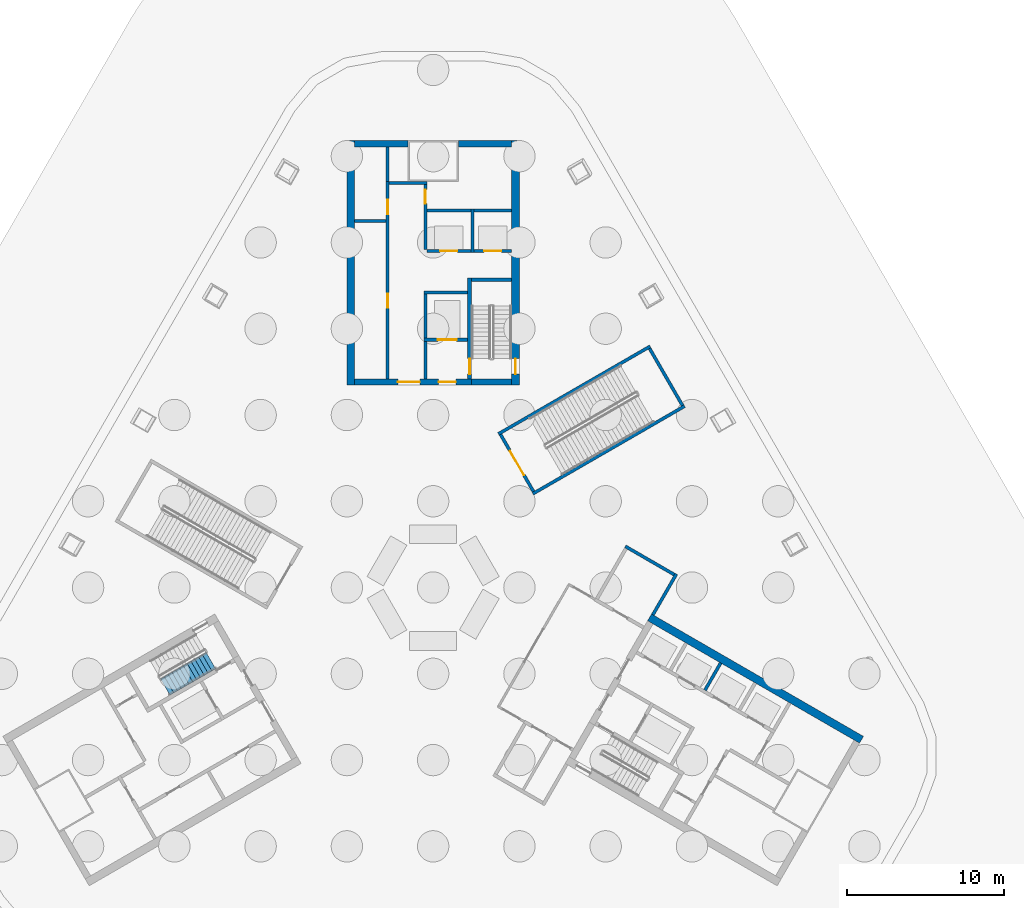
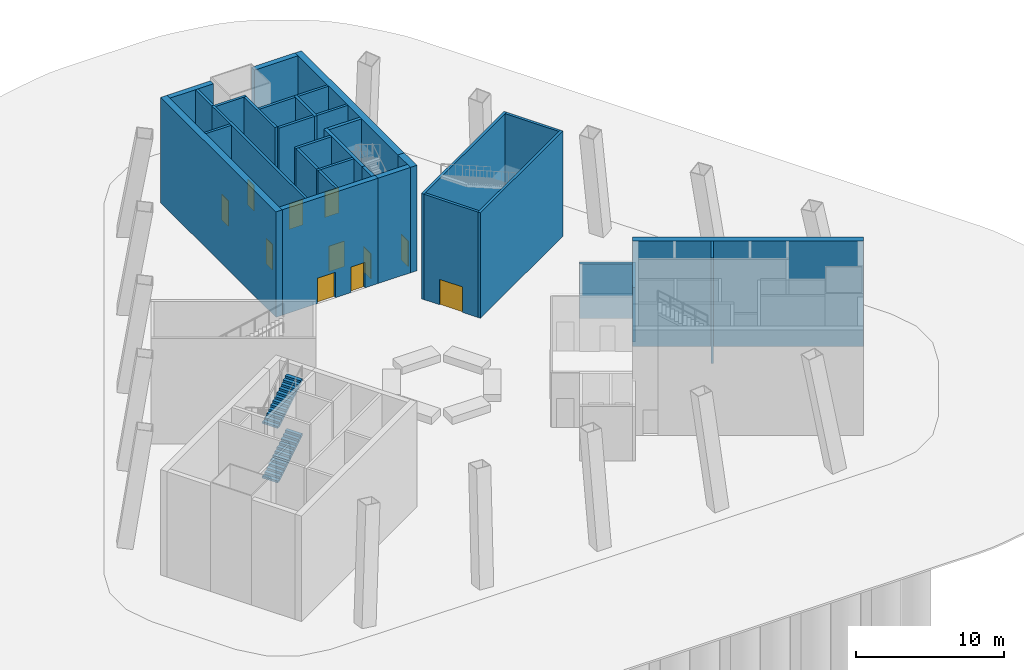
# One storey, part 5 of 10: 32 walls, 11 doors, 2 stair flights, 11 openings, 1 element without a shape of its own.
"""IFC4 building model written with IfcOpenShell, lengths in metres."""

import ifcopenshell
import ifcopenshell.guid

model = None  # the IFC model being written
_history = None  # IfcOwnerHistory: only IFC2X3 demands one
_inside = {}  # id of a spatial element -> (the spatial element, [elements in it])
_under = {}  # id of a project, library or spatial element -> (it, [spatial elements below it])
_declared = {}  # id of a project -> (the project, [libraries it declares])
_typed = {}  # id of a type object -> (the type object, [elements of that type])
_made_of = {}  # id of a material, layer set ... -> (it, [elements and type objects made of it])


def new_model(schema):
    """Start an empty IFC model of exactly this schema.

    Asked for "IFC4X3", IfcOpenShell would pick the latest addendum, in which some entities
    have other attributes; the version numbers below select the first issue.
    IFC2X3 requires an IfcOwnerHistory on every rooted entity: one is made here for all.
    """
    global model, _history
    if schema == "IFC4X3":
        model = ifcopenshell.file(schema_version=(4, 3, 0, 0))
    else:
        model = ifcopenshell.file(schema=schema)
    _inside.clear()
    _under.clear()
    _declared.clear()
    _typed.clear()
    _made_of.clear()
    _history = None
    if model.schema == "IFC2X3":
        org = make("IfcOrganization", Name="unknown")
        user = make(
            "IfcPersonAndOrganization",
            ThePerson=make("IfcPerson", FamilyName="unknown"),
            TheOrganization=org,
        )
        app = make(
            "IfcApplication",
            ApplicationDeveloper=org,
            Version="unknown",
            ApplicationFullName="unknown",
            ApplicationIdentifier="unknown",
        )
        _history = make(
            "IfcOwnerHistory",
            OwningUser=user,
            OwningApplication=app,
            ChangeAction="ADDED",
            CreationDate=0,
        )
    return model


def make(cls, **values):
    """One entity of the class cls with the attributes given. An attribute that is None is left unset."""
    return model.create_entity(
        cls, **{name: value for name, value in values.items() if value is not None}
    )


def rooted(cls, **values):
    """An entity with a GlobalId (a new one), such as an element, a storey or a relation."""
    return make(cls, GlobalId=ifcopenshell.guid.new(), OwnerHistory=_history, **values)


def si_unit(unit_type, name, prefix=None):
    """IfcSIUnit, for example si_unit("LENGTHUNIT", "METRE", prefix="MILLI")."""
    return make("IfcSIUnit", UnitType=unit_type, Prefix=prefix, Name=name)


def assignment(units):
    """IfcUnitAssignment: the units of a project."""
    return None if units is None else make("IfcUnitAssignment", Units=units)


def point(xyz):
    """IfcCartesianPoint."""
    return None if xyz is None else make("IfcCartesianPoint", Coordinates=xyz)


def direction(xyz):
    """IfcDirection."""
    return None if xyz is None else make("IfcDirection", DirectionRatios=xyz)


def frame(location, z_axis=None, x_axis=None):
    """IfcAxis2Placement3D, a coordinate frame: its origin and axes. An axis left out is left unset."""
    return make(
        "IfcAxis2Placement3D",
        Location=point(location),
        Axis=direction(z_axis),
        RefDirection=direction(x_axis),
    )


def frame_2d(location, x_axis=None):
    """IfcAxis2Placement2D, a coordinate frame in the plane: its origin and x axis."""
    return make(
        "IfcAxis2Placement2D", Location=point(location), RefDirection=direction(x_axis)
    )


def origin():
    """The frame at (0, 0, 0) with its axes left unset."""
    return frame((0.0, 0.0, 0.0))


def place(relative_to, where):
    """IfcLocalPlacement: puts the frame where relative to a parent placement (None: the world)."""
    return make(
        "IfcLocalPlacement", PlacementRelTo=relative_to, RelativePlacement=where
    )


def context(
    kind, dimensions, precision=None, world=None, true_north=None, identifier=None
):
    """IfcGeometricRepresentationContext, for example the 3D "Model" context."""
    return make(
        "IfcGeometricRepresentationContext",
        ContextIdentifier=identifier,
        ContextType=kind,
        CoordinateSpaceDimension=dimensions,
        Precision=precision,
        WorldCoordinateSystem=world,
        TrueNorth=true_north,
    )


def subcontext(parent, identifier, kind, view, scale=None):
    """IfcGeometricRepresentationSubContext, for example "Body" below "Model"."""
    return make(
        "IfcGeometricRepresentationSubContext",
        ContextIdentifier=identifier,
        ContextType=kind,
        ParentContext=parent,
        TargetScale=scale,
        TargetView=view,
    )


def project(units=None, contexts=None):
    """IfcProject with its units and contexts."""
    return rooted(
        "IfcProject",
        Name="project",
        RepresentationContexts=contexts,
        UnitsInContext=assignment(units),
    )


def spatial(cls, under=None, at=None, **own):
    """A site, building, storey or space (cls), placed at a placement, below another one or the project."""
    s = rooted(cls, ObjectPlacement=at, **own)
    if under is not None:
        _under.setdefault(under.id(), (under, []))[1].append(s)
    return s


def polyline(points):
    """IfcPolyline through the points."""
    return make("IfcPolyline", Points=[point(p) for p in points])


def profile(cls, at=None, kind="AREA", **sizes):
    """A parametric profile (cls). Its sizes go by their IFC names, for example OverallWidth=200.0."""
    return make(cls, ProfileType=kind, Position=at, **sizes)


def rectangle(**sizes):
    """IfcRectangleProfileDef."""
    return profile("IfcRectangleProfileDef", **sizes)


def outline(outer, holes=None, kind="AREA"):
    """IfcArbitraryClosedProfileDef: a profile drawn as a closed curve; with holes, ...WithVoids."""
    if holes is None:
        return make("IfcArbitraryClosedProfileDef", ProfileType=kind, OuterCurve=outer)
    return make(
        "IfcArbitraryProfileDefWithVoids",
        ProfileType=kind,
        OuterCurve=outer,
        InnerCurves=holes,
    )


def extrude(swept, where, along, depth):
    """IfcExtrudedAreaSolid: the profile swept, set in the frame where, extruded along a direction by depth."""
    return make(
        "IfcExtrudedAreaSolid",
        SweptArea=swept,
        Position=where,
        ExtrudedDirection=direction(along),
        Depth=depth,
    )


def shape(context_of_items, identifier, shape_type, items):
    """IfcShapeRepresentation: the items that make up one representation, for example the "Body"."""
    return make(
        "IfcShapeRepresentation",
        ContextOfItems=context_of_items,
        RepresentationIdentifier=identifier,
        RepresentationType=shape_type,
        Items=items,
    )


def material(Name=None, Category=None):
    """IfcMaterial."""
    return make("IfcMaterial", Name=Name, Category=Category)


def layer(
    of_material, thickness, ventilated=None, Name=None, Category=None, Priority=None
):
    """IfcMaterialLayer: one layer of a wall or slab, of a material (None: an air gap)."""
    return make(
        "IfcMaterialLayer",
        Material=of_material,
        LayerThickness=thickness,
        IsVentilated=ventilated,
        Name=Name,
        Category=Category,
        Priority=Priority,
    )


def layer_set(layers, Name=None):
    """IfcMaterialLayerSet."""
    return make("IfcMaterialLayerSet", MaterialLayers=layers, LayerSetName=Name)


def made_of(thing, what):
    """Note that an element or type object is made of a material, layer set ...; save() writes the relation."""
    if what is not None:
        _made_of.setdefault(what.id(), (what, []))[1].append(thing)
    return thing


def type_object(cls, material=None, **own):
    """A type object (cls), such as IfcWallType, which elements share."""
    return made_of(rooted(cls, **own), material)


def element(
    cls,
    number,
    at=None,
    inside=None,
    cuts=None,
    type_object=None,
    material=None,
    context=None,
    identifier="Body",
    shape_type=None,
    held_by="IfcProductDefinitionShape",
    body=None,
    shapes=None,
    **own,
):
    """One element of the class cls, such as IfcWall. Its Tag is "e" and its number.

    at: its placement. inside: the storey or other place that contains it. cuts: it is an
    opening in that element (IfcRelVoidsElement). A single representation is given by context,
    identifier, shape_type and body (its items); several are given by shapes. held_by: the class
    of the entity that holds the representations. save() writes the other relations.
    """
    e = rooted(cls, Tag="e%d" % number, ObjectPlacement=at, **own)
    if body is not None:
        shapes = [shape(context, identifier, shape_type, body)]
    if shapes is not None:
        e.Representation = make(held_by, Representations=shapes)
    if inside is not None:
        _inside.setdefault(inside.id(), (inside, []))[1].append(e)
    if cuts is not None:
        rooted(
            "IfcRelVoidsElement", RelatingBuildingElement=cuts, RelatedOpeningElement=e
        )
    if type_object is not None:
        _typed.setdefault(type_object.id(), (type_object, []))[1].append(e)
    return made_of(e, material)


def fill(opening, filler):
    """IfcRelFillsElement: the door or window that sits in an opening."""
    return rooted(
        "IfcRelFillsElement",
        RelatingOpeningElement=opening,
        RelatedBuildingElement=filler,
    )


def aggregate(whole, parts):
    """IfcRelAggregates: a whole, such as a stair, and the parts it consists of."""
    return rooted("IfcRelAggregates", RelatingObject=whole, RelatedObjects=parts)


def save(model, path):
    """Write the relations noted so far, then the file.

    IfcRelAggregates (storeys below a building ...), IfcRelContainedInSpatialStructure (elements
    in a storey), IfcRelDefinesByType, IfcRelAssociatesMaterial and IfcRelDeclares: one each for
    every whole, place, type object, material and project.
    """
    for whole, parts in _under.values():
        aggregate(whole, parts)
    for where, things in _inside.values():
        rooted(
            "IfcRelContainedInSpatialStructure",
            RelatedElements=things,
            RelatingStructure=where,
        )
    for kind, things in _typed.values():
        rooted("IfcRelDefinesByType", RelatedObjects=things, RelatingType=kind)
    for what, things in _made_of.values():
        rooted("IfcRelAssociatesMaterial", RelatedObjects=things, RelatingMaterial=what)
    for by, libraries in _declared.values():
        rooted("IfcRelDeclares", RelatingContext=by, RelatedDefinitions=libraries)
    model.write(path)


model = new_model("IFC4")

# Units and contexts
model_context = context("Model", 3, precision=1e-05, world=origin(), true_north=direction((0.0, 1.0)))
body_context = subcontext(model_context, "Body", "Model", "MODEL_VIEW")
ifc_project = project(units=[si_unit("LENGTHUNIT", "METRE"), si_unit("AREAUNIT", "SQUARE_METRE"), si_unit("VOLUMEUNIT", "CUBIC_METRE"), si_unit("PLANEANGLEUNIT", "RADIAN"), si_unit("MASSUNIT", "GRAM", prefix="KILO")], contexts=[model_context])

# Site, building, storey
site_placement = place(None, origin())
site = spatial("IfcSite", under=ifc_project, at=site_placement, CompositionType="ELEMENT")
building_placement = place(site_placement, origin())
building = spatial("IfcBuilding", under=site, at=building_placement, Name="Apuvela Tower Hotel", CompositionType="ELEMENT")
storey_placement = place(building_placement, origin())
storey = spatial("IfcBuildingStorey", under=building, at=storey_placement, Name="L00", CompositionType="ELEMENT", Elevation=0.0)

# Walls
ifc_material_1 = material(Name="Concrete C50/60", Category="concrete")
ifc_layer_1 = layer(ifc_material_1, 0.39990234375)
ifc_layer_set_1 = layer_set([ifc_layer_1], Name="COR-WALL-CORE-400")
wall_type_1 = type_object("IfcWallType", Name="COR-WALL-CORE-400", PredefinedType="SHEAR", material=ifc_layer_set_1)
for number, where, z_axis, x_axis, name in (
    (1, (-1.60009765625, 28.300048828125, 0.0), (0.0, 0.0, 1.0), (-1.0, 0.0, 0.0), "Core wall N"),
    (2, (5.0, 28.300048828125, 0.0), (0.0, 0.0, 1.0), (-1.0, 0.0, 0.0), "Core wall N"),
):
    element("IfcWall", number, at=place(storey_placement, frame(where, z_axis=z_axis, x_axis=x_axis)), inside=storey, type_object=wall_type_1, Name=name, PredefinedType="SHEAR", context=body_context, shape_type="SweptSolid", body=[
        extrude(rectangle(XDim=3.39990234375, YDim=0.39990234375, at=frame_2d((1.699951171875, 0.0))), origin(), (0.0, 0.0, 1.0), 8.699951171875),
    ])
wall_1_placement = place(storey_placement, frame((5.0, 13.10009765625, 0.0), z_axis=(0.0, 0.0, 1.0), x_axis=(-1.0, 0.0, 0.0)))
element("IfcWall", 3, at=wall_1_placement, inside=storey, type_object=wall_type_1, Name="Core wall N", PredefinedType="SHEAR", context=body_context, shape_type="SweptSolid", body=[
    extrude(rectangle(XDim=2.550048828125, YDim=0.39990234375, at=frame_2d((1.27490234375, 0.0))), origin(), (0.0, 0.0, 1.0), 8.699951171875),
])

# Wall, openings, doors
wall_2_placement = place(storey_placement, frame((2.449951171875, 13.10009765625, 0.0), z_axis=(0.0, 0.0, 1.0), x_axis=(-1.0, 0.0, 0.0)))
wall_2 = element("IfcWall", 4, at=wall_2_placement, inside=storey, type_object=wall_type_1, Name="Core wall N", PredefinedType="SHEAR", context=body_context, shape_type="SweptSolid", body=[
    extrude(rectangle(XDim=7.449951171875, YDim=0.39990234375, at=frame_2d((3.72509765625, 0.0))), origin(), (0.0, 0.0, 1.0), 8.699951171875),
])
opening_1_placement = place(wall_2_placement, frame((1.0, 0.0, 0.0)))
opening_1 = element("IfcOpeningElement", 5, at=opening_1_placement, cuts=wall_2, Name="Opening N-FD", PredefinedType="OPENING", context=body_context, shape_type="SweptSolid", body=[
    extrude(rectangle(XDim=1.10009765625, YDim=2.10009765625, at=frame_2d((0.550048828125, 1.050048828125))), frame((0.0, 0.2099609375, 0.0), z_axis=(0.0, -1.0, 0.0), x_axis=(1.0, 0.0, 0.0)), (0.0, 0.0, 1.0), 0.419921875),
])
opening_2_placement = place(wall_2_placement, frame((3.300048828125, 0.0, 0.0)))
opening_2 = element("IfcOpeningElement", 6, at=opening_2_placement, cuts=wall_2, Name="Opening N-GD", PredefinedType="OPENING", context=body_context, shape_type="SweptSolid", body=[
    extrude(rectangle(XDim=1.39990234375, YDim=2.10009765625, at=frame_2d((0.699951171875, 1.050048828125))), frame((0.0, 0.2099609375, 0.0), z_axis=(0.0, -1.0, 0.0), x_axis=(1.0, 0.0, 0.0)), (0.0, 0.0, 1.0), 0.419921875),
])
ifc_material_2 = material(Name="Steel fire door, powder coated", Category="steel")
door_type_1 = type_object("IfcDoorType", Name="COR-FD-1100", OperationType="NOTDEFINED", PredefinedType="DOOR", material=ifc_material_2)
door_1_placement = place(opening_1_placement, origin())
door_1 = element("IfcDoor", 7, at=door_1_placement, inside=storey, type_object=door_type_1, Name="Firefighting lobby door N-FD", OperationType="SINGLE_SWING_RIGHT", OverallHeight=2.10009765625, OverallWidth=1.10009765625, PredefinedType="DOOR", context=body_context, shape_type="SweptSolid", body=[
    extrude(rectangle(XDim=1.10009765625, YDim=2.10009765625, at=frame_2d((0.550048828125, 1.050048828125))), frame((0.0, 0.02490234375, 0.0), z_axis=(0.0, -1.0, 0.0), x_axis=(1.0, 0.0, 0.0)), (0.0, 0.0, 1.0), 0.050048828125),
])
fill(opening_1, door_1)
ifc_material_3 = material(Name="Glazed steel fire door", Category="steel")
door_type_2 = type_object("IfcDoorType", Name="COR-GD-1400", OperationType="DOUBLE_DOOR_SINGLE_SWING", PredefinedType="DOOR", material=ifc_material_3)
door_2_placement = place(opening_2_placement, origin())
door_2 = element("IfcDoor", 8, at=door_2_placement, inside=storey, type_object=door_type_2, Name="Lift lobby door N-GD", OperationType="DOUBLE_DOOR_SINGLE_SWING", OverallHeight=2.10009765625, OverallWidth=1.39990234375, PredefinedType="DOOR", context=body_context, shape_type="SweptSolid", body=[
    extrude(rectangle(XDim=1.39990234375, YDim=2.10009765625, at=frame_2d((0.699951171875, 1.050048828125))), frame((0.0, 0.02490234375, 0.0), z_axis=(0.0, -1.0, 0.0), x_axis=(1.0, 0.0, 0.0)), (0.0, 0.0, 1.0), 0.050048828125),
])
fill(opening_2, door_2)

# Wall
ifc_layer_2 = layer(ifc_material_1, 0.5)
ifc_layer_set_2 = layer_set([ifc_layer_2], Name="COR-WALL-CORE-500")
wall_type_2 = type_object("IfcWallType", Name="COR-WALL-CORE-500", PredefinedType="SHEAR", material=ifc_layer_set_2)
wall_3_placement = place(storey_placement, frame((-5.25, 12.89990234375, 0.0), z_axis=(0.0, 0.0, 1.0), x_axis=(0.0, 1.0, 0.0)))
element("IfcWall", 9, at=wall_3_placement, inside=storey, type_object=wall_type_2, Name="Core wall N", PredefinedType="SHEAR", context=body_context, shape_type="SweptSolid", body=[
    extrude(rectangle(XDim=15.60009765625, YDim=0.5, at=frame_2d((7.800048828125, 0.0))), origin(), (0.0, 0.0, 1.0), 8.699951171875),
])

# Wall, opening, door
wall_4_placement = place(storey_placement, frame((5.25, 12.89990234375, 0.0), z_axis=(0.0, 0.0, 1.0), x_axis=(0.0, 1.0, 0.0)))
wall_4 = element("IfcWall", 10, at=wall_4_placement, inside=storey, type_object=wall_type_2, Name="Core wall N", PredefinedType="SHEAR", context=body_context, shape_type="SweptSolid", body=[
    extrude(rectangle(XDim=1.7060546875, YDim=0.5, at=frame_2d((0.85302734375, 0.0))), origin(), (0.0, 0.0, 1.0), 8.699951171875),
])
opening_3_placement = place(wall_4_placement, frame((0.699951171875, 0.0, 0.0)))
opening_3 = element("IfcOpeningElement", 11, at=opening_3_placement, cuts=wall_4, Name="Opening N-XD", PredefinedType="OPENING", context=body_context, shape_type="SweptSolid", body=[
    extrude(rectangle(XDim=1.0, YDim=2.10009765625, at=frame_2d((0.5, 1.050048828125))), frame((0.0, 0.260009765625, 0.0), z_axis=(0.0, -1.0, 0.0), x_axis=(1.0, 0.0, 0.0)), (0.0, 0.0, 1.0), 0.52001953125),
])
door_type_3 = type_object("IfcDoorType", Name="COR-XD-1000", OperationType="NOTDEFINED", PredefinedType="DOOR", material=ifc_material_2)
door_3_placement = place(opening_3_placement, frame((1.0, 0.0, 0.0), z_axis=(0.0, 0.0, 1.0), x_axis=(-1.0, 0.0, 0.0)))
door_3 = element("IfcDoor", 12, at=door_3_placement, inside=storey, type_object=door_type_3, Name="Stair exit door N-XD", OperationType="SINGLE_SWING_RIGHT", OverallHeight=2.10009765625, OverallWidth=1.0, PredefinedType="DOOR", context=body_context, shape_type="SweptSolid", body=[
    extrude(rectangle(XDim=1.0, YDim=2.10009765625, at=frame_2d((0.5, 1.050048828125))), frame((0.0, 0.02490234375, 0.0), z_axis=(0.0, -1.0, 0.0), x_axis=(1.0, 0.0, 0.0)), (0.0, 0.0, 1.0), 0.050048828125),
])
fill(opening_3, door_3)

# Walls
wall_5_placement = place(storey_placement, frame((5.25, 14.60595703125, 0.0), z_axis=(0.0, 0.0, 1.0), x_axis=(0.0, 1.0, 0.0)))
element("IfcWall", 13, at=wall_5_placement, inside=storey, type_object=wall_type_2, Name="Core wall N", PredefinedType="SHEAR", context=body_context, shape_type="SweptSolid", body=[
    extrude(rectangle(XDim=13.89404296875, YDim=0.5, at=frame_2d((6.947021484375, 0.0))), origin(), (0.0, 0.0, 1.0), 8.699951171875),
])
wall_6_placement = place(storey_placement, frame((13.796630859375, -1.9033203125, 0.0), z_axis=(0.0, 0.0, 1.0), x_axis=(0.866024264262, -0.500001973705, 0.0)))
element("IfcWall", 14, at=wall_6_placement, inside=storey, type_object=wall_type_2, Name="Core wall SE", PredefinedType="SHEAR", context=body_context, shape_type="SweptSolid", body=[
    extrude(rectangle(XDim=15.60009765625, YDim=0.5, at=frame_2d((7.800048828125, 0.0))), origin(), (0.0, 0.0, 1.0), 8.699951171875),
])

# Wall, opening, door
ifc_material_4 = material(Name="Blockwork 200 mm plastered", Category="masonry")
ifc_layer_3 = layer(ifc_material_4, 0.199951171875)
ifc_layer_set_3 = layer_set([ifc_layer_3], Name="COR-WALL-PART-200")
wall_type_3 = type_object("IfcWallType", Name="COR-WALL-PART-200", PredefinedType="PARTITIONING", material=ifc_layer_set_3)
wall_7_placement = place(storey_placement, frame((5.0, 21.449951171875, 0.0), z_axis=(0.0, 0.0, 1.0), x_axis=(-1.0, 0.0, 0.0)))
wall_7 = element("IfcWall", 15, at=wall_7_placement, inside=storey, type_object=wall_type_3, Name="Partition N", PredefinedType="PARTITIONING", context=body_context, shape_type="SweptSolid", body=[
    extrude(rectangle(XDim=2.39990234375, YDim=0.199951171875, at=frame_2d((1.199951171875, 0.0))), origin(), (0.0, 0.0, 1.0), 8.699951171875),
])
opening_4_placement = place(wall_7_placement, frame((0.64990234375, 0.0, 0.0)))
opening_4 = element("IfcOpeningElement", 16, at=opening_4_placement, cuts=wall_7, Name="Opening N-LD-SH1", PredefinedType="OPENING", context=body_context, shape_type="SweptSolid", body=[
    extrude(rectangle(XDim=1.10009765625, YDim=2.10009765625, at=frame_2d((0.550048828125, 1.050048828125))), frame((0.0, 0.10986328125, 0.0), z_axis=(0.0, -1.0, 0.0), x_axis=(1.0, 0.0, 0.0)), (0.0, 0.0, 1.0), 0.219970703125),
])
ifc_material_5 = material(Name="Stainless steel lift landing door", Category="steel")
door_type_4 = type_object("IfcDoorType", Name="COR-LD-1100", OperationType="DOUBLE_DOOR_SLIDING", PredefinedType="DOOR", material=ifc_material_5)
door_4_placement = place(opening_4_placement, origin())
door_4 = element("IfcDoor", 17, at=door_4_placement, inside=storey, type_object=door_type_4, Name="Lift landing door N-LD-SH1", OperationType="DOUBLE_DOOR_SLIDING", OverallHeight=2.10009765625, OverallWidth=1.10009765625, PredefinedType="DOOR", context=body_context, shape_type="SweptSolid", body=[
    extrude(rectangle(XDim=1.10009765625, YDim=2.10009765625, at=frame_2d((0.550048828125, 1.050048828125))), frame((0.0, 0.02490234375, 0.0), z_axis=(0.0, -1.0, 0.0), x_axis=(1.0, 0.0, 0.0)), (0.0, 0.0, 1.0), 0.050048828125),
])
fill(opening_4, door_4)

wall_8_placement = place(storey_placement, frame((2.39990234375, 21.449951171875, 0.0), z_axis=(0.0, 0.0, 1.0), x_axis=(-1.0, 0.0, 0.0)))
wall_8 = element("IfcWall", 18, at=wall_8_placement, inside=storey, type_object=wall_type_3, Name="Partition N", PredefinedType="PARTITIONING", context=body_context, shape_type="SweptSolid", body=[
    extrude(rectangle(XDim=2.7998046875, YDim=0.199951171875, at=frame_2d((1.39990234375, 0.0))), origin(), (0.0, 0.0, 1.0), 8.699951171875),
])
opening_5_placement = place(wall_8_placement, frame((0.85009765625, 0.0, 0.0)))
opening_5 = element("IfcOpeningElement", 19, at=opening_5_placement, cuts=wall_8, Name="Opening N-LD-SH2", PredefinedType="OPENING", context=body_context, shape_type="SweptSolid", body=[
    extrude(rectangle(XDim=1.10009765625, YDim=2.10009765625, at=frame_2d((0.550048828125, 1.050048828125))), frame((0.0, 0.10986328125, 0.0), z_axis=(0.0, -1.0, 0.0), x_axis=(1.0, 0.0, 0.0)), (0.0, 0.0, 1.0), 0.219970703125),
])
door_5_placement = place(opening_5_placement, origin())
door_5 = element("IfcDoor", 20, at=door_5_placement, inside=storey, type_object=door_type_4, Name="Lift landing door N-LD-SH2", OperationType="DOUBLE_DOOR_SLIDING", OverallHeight=2.10009765625, OverallWidth=1.10009765625, PredefinedType="DOOR", context=body_context, shape_type="SweptSolid", body=[
    extrude(rectangle(XDim=1.10009765625, YDim=2.10009765625, at=frame_2d((0.550048828125, 1.050048828125))), frame((0.0, 0.02490234375, 0.0), z_axis=(0.0, -1.0, 0.0), x_axis=(1.0, 0.0, 0.0)), (0.0, 0.0, 1.0), 0.050048828125),
])
fill(opening_5, door_5)

# Wall
ifc_layer_4 = layer(ifc_material_1, 0.199951171875)
ifc_layer_set_4 = layer_set([ifc_layer_4], Name="COR-WALL-SHAFT-200")
wall_type_4 = type_object("IfcWallType", Name="COR-WALL-SHAFT-200", PredefinedType="SHEAR", material=ifc_layer_set_4)
wall_9_placement = place(storey_placement, frame((2.199951171875, 18.800048828125, 0.0), z_axis=(0.0, 0.0, 1.0), x_axis=(-1.0, 0.0, 0.0)))
element("IfcWall", 21, at=wall_9_placement, inside=storey, type_object=wall_type_4, Name="Shaft wall N", PredefinedType="SHEAR", context=body_context, shape_type="SweptSolid", body=[
    extrude(rectangle(XDim=2.800048828125, YDim=0.199951171875, at=frame_2d((1.39990234375, 0.0))), origin(), (0.0, 0.0, 1.0), 8.699951171875),
])

# Wall, opening, door
wall_10_placement = place(storey_placement, frame((2.199951171875, 15.800048828125, 0.0), z_axis=(0.0, 0.0, 1.0), x_axis=(-1.0, 0.0, 0.0)))
wall_10 = element("IfcWall", 22, at=wall_10_placement, inside=storey, type_object=wall_type_4, Name="Shaft wall N", PredefinedType="SHEAR", context=body_context, shape_type="SweptSolid", body=[
    extrude(rectangle(XDim=2.800048828125, YDim=0.199951171875, at=frame_2d((1.39990234375, 0.0))), origin(), (0.0, 0.0, 1.0), 8.699951171875),
])
opening_6_placement = place(wall_10_placement, frame((0.699951171875, 0.0, 0.0)))
opening_6 = element("IfcOpeningElement", 23, at=opening_6_placement, cuts=wall_10, Name="Opening N-LD-FS1", PredefinedType="OPENING", context=body_context, shape_type="SweptSolid", body=[
    extrude(rectangle(XDim=1.199951171875, YDim=2.10009765625, at=frame_2d((0.60009765625, 1.050048828125))), frame((0.0, 0.10986328125, 0.0), z_axis=(0.0, -1.0, 0.0), x_axis=(1.0, 0.0, 0.0)), (0.0, 0.0, 1.0), 0.219970703125),
])
door_type_5 = type_object("IfcDoorType", Name="COR-LD-1200", OperationType="DOUBLE_DOOR_SLIDING", PredefinedType="DOOR", material=ifc_material_5)
door_6_placement = place(opening_6_placement, origin())
door_6 = element("IfcDoor", 24, at=door_6_placement, inside=storey, type_object=door_type_5, Name="Lift landing door N-LD-FS1", OperationType="DOUBLE_DOOR_SLIDING", OverallHeight=2.10009765625, OverallWidth=1.199951171875, PredefinedType="DOOR", context=body_context, shape_type="SweptSolid", body=[
    extrude(rectangle(XDim=1.199951171875, YDim=2.10009765625, at=frame_2d((0.60009765625, 1.050048828125))), frame((0.0, 0.02490234375, 0.0), z_axis=(0.0, -1.0, 0.0), x_axis=(1.0, 0.0, 0.0)), (0.0, 0.0, 1.0), 0.050048828125),
])
fill(opening_6, door_6)

# Walls
wall_11_placement = place(storey_placement, frame((-0.5, 15.89990234375, 0.0), z_axis=(0.0, 0.0, 1.0), x_axis=(0.0, 1.0, 0.0)))
element("IfcWall", 25, at=wall_11_placement, inside=storey, type_object=wall_type_4, Name="Shaft wall N", PredefinedType="SHEAR", context=body_context, shape_type="SweptSolid", body=[
    extrude(rectangle(XDim=2.800048828125, YDim=0.199951171875, at=frame_2d((1.39990234375, 0.0))), origin(), (0.0, 0.0, 1.0), 8.699951171875),
])
wall_12_placement = place(storey_placement, frame((-0.5, 13.300048828125, 0.0), z_axis=(0.0, 0.0, 1.0), x_axis=(0.0, 1.0, 0.0)))
element("IfcWall", 26, at=wall_12_placement, inside=storey, type_object=wall_type_4, Name="Shaft wall N", PredefinedType="SHEAR", context=body_context, shape_type="SweptSolid", body=[
    extrude(rectangle(XDim=2.39990234375, YDim=0.199951171875, at=frame_2d((1.199951171875, 0.0))), origin(), (0.0, 0.0, 1.0), 8.699951171875),
])

# Wall, openings, doors
wall_13_placement = place(storey_placement, frame((-2.89990234375, 13.300048828125, 0.0), z_axis=(0.0, 0.0, 1.0), x_axis=(0.0, 1.0, 0.0)))
wall_13 = element("IfcWall", 27, at=wall_13_placement, inside=storey, type_object=wall_type_4, Name="Shaft wall N", PredefinedType="SHEAR", context=body_context, shape_type="SweptSolid", body=[
    extrude(rectangle(XDim=12.599853515625, YDim=0.199951171875, at=frame_2d((6.2998046875, 0.0))), origin(), (0.0, 0.0, 1.0), 8.699951171875),
])
opening_7_placement = place(wall_13_placement, frame((4.530029296875, 0.0, 0.0)))
opening_7 = element("IfcOpeningElement", 28, at=opening_7_placement, cuts=wall_13, Name="Opening N-RE1", PredefinedType="OPENING", context=body_context, shape_type="SweptSolid", body=[
    extrude(rectangle(XDim=0.89990234375, YDim=2.10009765625, at=frame_2d((0.449951171875, 1.050048828125))), frame((0.0, 0.10986328125, 0.0), z_axis=(0.0, -1.0, 0.0), x_axis=(1.0, 0.0, 0.0)), (0.0, 0.0, 1.0), 0.219970703125),
])
opening_8_placement = place(wall_13_placement, frame((10.510009765625, 0.0, 0.0)))
opening_8 = element("IfcOpeningElement", 29, at=opening_8_placement, cuts=wall_13, Name="Opening N-REP", PredefinedType="OPENING", context=body_context, shape_type="SweptSolid", body=[
    extrude(rectangle(XDim=0.89990234375, YDim=2.10009765625, at=frame_2d((0.449951171875, 1.050048828125))), frame((0.0, 0.10986328125, 0.0), z_axis=(0.0, -1.0, 0.0), x_axis=(1.0, 0.0, 0.0)), (0.0, 0.0, 1.0), 0.219970703125),
])
door_type_6 = type_object("IfcDoorType", Name="COR-DR-900", OperationType="NOTDEFINED", PredefinedType="DOOR", material=ifc_material_2)
door_7_placement = place(opening_7_placement, origin())
door_7 = element("IfcDoor", 30, at=door_7_placement, inside=storey, type_object=door_type_6, Name="Store door N-RE1", OperationType="SINGLE_SWING_LEFT", OverallHeight=2.10009765625, OverallWidth=0.89990234375, PredefinedType="DOOR", context=body_context, shape_type="SweptSolid", body=[
    extrude(rectangle(XDim=0.89990234375, YDim=2.10009765625, at=frame_2d((0.449951171875, 1.050048828125))), frame((0.0, 0.02490234375, 0.0), z_axis=(0.0, -1.0, 0.0), x_axis=(1.0, 0.0, 0.0)), (0.0, 0.0, 1.0), 0.050048828125),
])
fill(opening_7, door_7)
door_8_placement = place(opening_8_placement, origin())
door_8 = element("IfcDoor", 31, at=door_8_placement, inside=storey, type_object=door_type_6, Name="Store door N-REP", OperationType="SINGLE_SWING_RIGHT", OverallHeight=2.10009765625, OverallWidth=0.89990234375, PredefinedType="DOOR", context=body_context, shape_type="SweptSolid", body=[
    extrude(rectangle(XDim=0.89990234375, YDim=2.10009765625, at=frame_2d((0.449951171875, 1.050048828125))), frame((0.0, 0.02490234375, 0.0), z_axis=(0.0, -1.0, 0.0), x_axis=(1.0, 0.0, 0.0)), (0.0, 0.0, 1.0), 0.050048828125),
])
fill(opening_8, door_8)

# Wall
wall_14_placement = place(storey_placement, frame((-0.39990234375, 25.800048828125, 0.0), z_axis=(0.0, 0.0, 1.0), x_axis=(-1.0, 0.0, 0.0)))
element("IfcWall", 32, at=wall_14_placement, inside=storey, type_object=wall_type_4, Name="Shaft wall N", PredefinedType="SHEAR", context=body_context, shape_type="SweptSolid", body=[
    extrude(rectangle(XDim=2.400146484375, YDim=0.199951171875, at=frame_2d((1.2001953125, 0.0))), origin(), (0.0, 0.0, 1.0), 8.699951171875),
])

# Wall, opening, door
wall_15_placement = place(storey_placement, frame((-0.5, 21.550048828125, 0.0), z_axis=(0.0, 0.0, 1.0), x_axis=(0.0, 1.0, 0.0)))
wall_15 = element("IfcWall", 33, at=wall_15_placement, inside=storey, type_object=wall_type_4, Name="Shaft wall N", PredefinedType="SHEAR", context=body_context, shape_type="SweptSolid", body=[
    extrude(rectangle(XDim=4.14990234375, YDim=0.199951171875, at=frame_2d((2.074951171875, 0.0))), origin(), (0.0, 0.0, 1.0), 8.699951171875),
])
opening_9_placement = place(wall_15_placement, frame((2.925048828125, 0.0, 0.0)))
opening_9 = element("IfcOpeningElement", 34, at=opening_9_placement, cuts=wall_15, Name="Opening N-RSP", PredefinedType="OPENING", context=body_context, shape_type="SweptSolid", body=[
    extrude(rectangle(XDim=0.89990234375, YDim=2.10009765625, at=frame_2d((0.449951171875, 1.050048828125))), frame((0.0, 0.10986328125, 0.0), z_axis=(0.0, -1.0, 0.0), x_axis=(1.0, 0.0, 0.0)), (0.0, 0.0, 1.0), 0.219970703125),
])
door_9_placement = place(opening_9_placement, frame((0.89990234375, 0.0, 0.0), z_axis=(0.0, 0.0, 1.0), x_axis=(-1.0, 0.0, 0.0)))
door_9 = element("IfcDoor", 35, at=door_9_placement, inside=storey, type_object=door_type_6, Name="Store door N-RSP", OperationType="SINGLE_SWING_LEFT", OverallHeight=2.10009765625, OverallWidth=0.89990234375, PredefinedType="DOOR", context=body_context, shape_type="SweptSolid", body=[
    extrude(rectangle(XDim=0.89990234375, YDim=2.10009765625, at=frame_2d((0.449951171875, 1.050048828125))), frame((0.0, 0.02490234375, 0.0), z_axis=(0.0, -1.0, 0.0), x_axis=(1.0, 0.0, 0.0)), (0.0, 0.0, 1.0), 0.050048828125),
])
fill(opening_9, door_9)

# Walls
wall_16_placement = place(storey_placement, frame((-3.0, 23.360107421875, 0.0), z_axis=(0.0, 0.0, 1.0), x_axis=(-1.0, 0.0, 0.0)))
element("IfcWall", 36, at=wall_16_placement, inside=storey, type_object=wall_type_4, Name="Shaft wall N", PredefinedType="SHEAR", context=body_context, shape_type="SweptSolid", body=[
    extrude(rectangle(XDim=2.0, YDim=0.199951171875, at=frame_2d((1.0, 0.0))), origin(), (0.0, 0.0, 1.0), 8.699951171875),
])
wall_17_placement = place(storey_placement, frame((-2.89990234375, 25.89990234375, 0.0), z_axis=(0.0, 0.0, 1.0), x_axis=(0.0, 1.0, 0.0)))
element("IfcWall", 37, at=wall_17_placement, inside=storey, type_object=wall_type_4, Name="Shaft wall N", PredefinedType="SHEAR", context=body_context, shape_type="SweptSolid", body=[
    extrude(rectangle(XDim=2.2001953125, YDim=0.199951171875, at=frame_2d((1.10009765625, 0.0))), origin(), (0.0, 0.0, 1.0), 8.699951171875),
])
wall_18_placement = place(storey_placement, frame((2.5, 21.35009765625, 0.0), z_axis=(0.0, 0.0, 1.0), x_axis=(0.0, 1.0, 0.0)))
element("IfcWall", 38, at=wall_18_placement, inside=storey, type_object=wall_type_4, Name="Shaft wall N", PredefinedType="SHEAR", context=body_context, shape_type="SweptSolid", body=[
    extrude(rectangle(XDim=2.7998046875, YDim=0.199951171875, at=frame_2d((1.39990234375, 0.0))), origin(), (0.0, 0.0, 1.0), 8.699951171875),
])
wall_19_placement = place(storey_placement, frame((5.0, 24.050048828125, 0.0), z_axis=(0.0, 0.0, 1.0), x_axis=(-1.0, 0.0, 0.0)))
element("IfcWall", 39, at=wall_19_placement, inside=storey, type_object=wall_type_4, Name="Shaft wall N", PredefinedType="SHEAR", context=body_context, shape_type="SweptSolid", body=[
    extrude(rectangle(XDim=2.39990234375, YDim=0.199951171875, at=frame_2d((1.199951171875, 0.0))), origin(), (0.0, 0.0, 1.0), 8.699951171875),
])
wall_20_placement = place(storey_placement, frame((2.39990234375, 24.050048828125, 0.0), z_axis=(0.0, 0.0, 1.0), x_axis=(-1.0, 0.0, 0.0)))
element("IfcWall", 40, at=wall_20_placement, inside=storey, type_object=wall_type_4, Name="Shaft wall N", PredefinedType="SHEAR", context=body_context, shape_type="SweptSolid", body=[
    extrude(rectangle(XDim=2.7998046875, YDim=0.199951171875, at=frame_2d((1.39990234375, 0.0))), origin(), (0.0, 0.0, 1.0), 8.699951171875),
])
wall_21_placement = place(storey_placement, frame((17.330810546875, -6.5419921875, 0.0), z_axis=(0.0, 0.0, 1.0), x_axis=(0.499972520799, 0.866041268327, 0.0)))
element("IfcWall", 41, at=wall_21_placement, inside=storey, type_object=wall_type_4, Name="Shaft wall SE", PredefinedType="SHEAR", context=body_context, shape_type="SweptSolid", body=[
    extrude(rectangle(XDim=2.0, YDim=0.199951171875, at=frame_2d((1.0, 0.0))), origin(), (0.0, 0.0, 1.0), 8.699951171875),
])
ifc_layer_5 = layer(ifc_material_1, 0.25)
ifc_layer_set_5 = layer_set([ifc_layer_5], Name="COR-WALL-STAIR-250")
wall_type_5 = type_object("IfcWallType", Name="COR-WALL-STAIR-250", PredefinedType="SHEAR", material=ifc_layer_set_5)
wall_22_placement = place(storey_placement, frame((5.0, 19.625, 0.0), z_axis=(0.0, 0.0, 1.0), x_axis=(-1.0, 0.0, 0.0)))
element("IfcWall", 42, at=wall_22_placement, inside=storey, type_object=wall_type_5, Name="Stair wall N", PredefinedType="SHEAR", context=body_context, shape_type="SweptSolid", body=[
    extrude(rectangle(XDim=2.550048828125, YDim=0.25, at=frame_2d((1.27490234375, 0.0))), origin(), (0.0, 0.0, 1.0), 8.699951171875),
])

# Wall, opening, door
wall_23_placement = place(storey_placement, frame((2.324951171875, 13.300048828125, 0.0), z_axis=(0.0, 0.0, 1.0), x_axis=(0.0, 1.0, 0.0)))
wall_23 = element("IfcWall", 43, at=wall_23_placement, inside=storey, type_object=wall_type_5, Name="Stair wall N", PredefinedType="SHEAR", context=body_context, shape_type="SweptSolid", body=[
    extrude(rectangle(XDim=1.305908203125, YDim=0.25, at=frame_2d((0.65283203125, 0.0))), origin(), (0.0, 0.0, 1.0), 8.699951171875),
])
opening_10_placement = place(wall_23_placement, frame((0.300048828125, 0.0, 0.0)))
opening_10 = element("IfcOpeningElement", 44, at=opening_10_placement, cuts=wall_23, Name="Opening N-SD", PredefinedType="OPENING", context=body_context, shape_type="SweptSolid", body=[
    extrude(rectangle(XDim=1.0, YDim=2.10009765625, at=frame_2d((0.5, 1.050048828125))), frame((0.0, 0.135009765625, 0.0), z_axis=(0.0, -1.0, 0.0), x_axis=(1.0, 0.0, 0.0)), (0.0, 0.0, 1.0), 0.27001953125),
])
door_type_7 = type_object("IfcDoorType", Name="COR-SD-1000", OperationType="NOTDEFINED", PredefinedType="DOOR", material=ifc_material_2)
door_10_placement = place(opening_10_placement, origin())
door_10 = element("IfcDoor", 45, at=door_10_placement, inside=storey, type_object=door_type_7, Name="Stair door N-SD", OperationType="SINGLE_SWING_RIGHT", OverallHeight=2.10009765625, OverallWidth=1.0, PredefinedType="DOOR", context=body_context, shape_type="SweptSolid", body=[
    extrude(rectangle(XDim=1.0, YDim=2.10009765625, at=frame_2d((0.5, 1.050048828125))), frame((0.0, 0.02490234375, 0.0), z_axis=(0.0, -1.0, 0.0), x_axis=(1.0, 0.0, 0.0)), (0.0, 0.0, 1.0), 0.050048828125),
])
fill(opening_10, door_10)

# Walls
wall_24_placement = place(storey_placement, frame((2.324951171875, 14.60595703125, 0.0), z_axis=(0.0, 0.0, 1.0), x_axis=(0.0, 1.0, 0.0)))
element("IfcWall", 46, at=wall_24_placement, inside=storey, type_object=wall_type_5, Name="Stair wall N", PredefinedType="SHEAR", context=body_context, shape_type="SweptSolid", body=[
    extrude(rectangle(XDim=5.14404296875, YDim=0.25, at=frame_2d((2.572021484375, 0.0))), origin(), (0.0, 0.0, 1.0), 8.699951171875),
])
ifc_material_6 = material(Name="Concrete C40/50", Category="concrete")
ifc_layer_6 = layer(ifc_material_6, 0.199951171875)
ifc_layer_set_6 = layer_set([ifc_layer_6], Name="SPC-WALL-STAIR")
wall_type_6 = type_object("IfcWallType", Name="SPC-WALL-STAIR", PredefinedType="SOLIDWALL", material=ifc_layer_set_6)
wall_25_placement = place(storey_placement, frame((4.1611328125, 9.79248046875, 0.0), z_axis=(0.0, 0.0, 1.0), x_axis=(0.866019249346, 0.500010659649, 0.0)))
element("IfcWall", 47, at=wall_25_placement, inside=storey, type_object=wall_type_6, Name="Wall L00-PS1-E", PredefinedType="SOLIDWALL", context=body_context, shape_type="SweptSolid", body=[
    extrude(rectangle(XDim=11.170166015625, YDim=0.199951171875, at=frame_2d((5.5849609375, 0.0))), origin(), (0.0, 0.0, 1.0), 8.699951171875),
])
wall_26_placement = place(storey_placement, frame((15.898193359375, 11.603759765625, 0.0), z_axis=(0.0, 0.0, 1.0), x_axis=(-0.500027713859, 0.866009402589, 0.0)))
element("IfcWall", 48, at=wall_26_placement, inside=storey, type_object=wall_type_6, Name="Wall L00-PS1-F", PredefinedType="SOLIDWALL", context=body_context, shape_type="SweptSolid", body=[
    extrude(rectangle(XDim=4.199951171875, YDim=0.199951171875, at=frame_2d((2.10009765625, 0.0))), origin(), (0.0, 0.0, 1.0), 8.699951171875),
])

# Wall, opening, door
wall_27_placement = place(storey_placement, frame((6.397705078125, 6.11865234375, 0.0), z_axis=(0.0, 0.0, 1.0), x_axis=(-0.499958946799, 0.866049104564, 0.0)))
wall_27 = element("IfcWall", 49, at=wall_27_placement, inside=storey, type_object=wall_type_6, Name="Wall L00-PS1-N", PredefinedType="SOLIDWALL", context=body_context, shape_type="SweptSolid", body=[
    extrude(rectangle(XDim=4.199951171875, YDim=0.199951171875, at=frame_2d((2.10009765625, 0.0))), origin(), (0.0, 0.0, 1.0), 8.699951171875),
])
opening_11_placement = place(wall_27_placement, frame((1.199951171875, 0.0, 0.0)))
opening_11 = element("IfcOpeningElement", 50, at=opening_11_placement, cuts=wall_27, Name="Opening L00-S01", PredefinedType="OPENING", context=body_context, shape_type="SweptSolid", body=[
    extrude(rectangle(XDim=1.800048828125, YDim=2.10009765625, at=frame_2d((0.89990234375, 1.050048828125))), frame((0.0, 0.10986328125, 0.0), z_axis=(0.0, -1.0, 0.0), x_axis=(1.0, 0.0, 0.0)), (0.0, 0.0, 1.0), 0.219970703125),
])
ifc_material_7 = material(Name="Steel fire door leaf", Category="steel")
door_type_8 = type_object("IfcDoorType", Name="SPC-DOOR-1800-STAIR", OperationType="NOTDEFINED", PredefinedType="DOOR", material=ifc_material_7)
door_11_placement = place(opening_11_placement, origin())
door_11 = element("IfcDoor", 51, at=door_11_placement, inside=storey, type_object=door_type_8, Name="L00-S01", OperationType="DOUBLE_DOOR_SINGLE_SWING", OverallHeight=2.10009765625, OverallWidth=1.800048828125, PredefinedType="DOOR", context=body_context, shape_type="SweptSolid", body=[
    extrude(rectangle(XDim=1.800048828125, YDim=2.10009765625, at=frame_2d((0.89990234375, 1.050048828125))), frame((0.0, 0.02490234375, 0.0), z_axis=(0.0, -1.0, 0.0), x_axis=(1.0, 0.0, 0.0)), (0.0, 0.0, 1.0), 0.050048828125),
])
fill(opening_11, door_11)

# Walls
wall_28_placement = place(storey_placement, frame((6.361083984375, 5.982177734375, 0.0), z_axis=(0.0, 0.0, 1.0), x_axis=(0.866028713561, 0.499994267255, 0.0)))
element("IfcWall", 52, at=wall_28_placement, inside=storey, type_object=wall_type_6, Name="Wall L00-PS1-W", PredefinedType="SOLIDWALL", context=body_context, shape_type="SweptSolid", body=[
    extrude(rectangle(XDim=11.170166015625, YDim=0.199951171875, at=frame_2d((5.5849609375, 0.0))), origin(), (0.0, 0.0, 1.0), 8.699951171875),
])
wall_29_placement = place(storey_placement, frame((14.00830078125, -1.73681640625, 0.0), z_axis=(0.0, 0.0, 1.0), x_axis=(0.50002537861, 0.866010750942, 0.0)))
element("IfcWall", 53, at=wall_29_placement, inside=storey, type_object=wall_type_6, Name="Wall L00-BLK-RB", PredefinedType="SOLIDWALL", context=body_context, shape_type="SweptSolid", body=[
    extrude(rectangle(XDim=2.999755859375, YDim=0.199951171875, at=frame_2d((1.5, 0.0))), origin(), (0.0, 0.0, 1.0), 4.5),
])
wall_30_placement = place(storey_placement, frame((12.25390625, 2.62451171875, 0.0), z_axis=(0.0, 0.0, 1.0), x_axis=(0.866047807691, -0.499961193289, 0.0)))
element("IfcWall", 54, at=wall_30_placement, inside=storey, type_object=wall_type_6, Name="Wall L00-BLK-RO", PredefinedType="SOLIDWALL", context=body_context, shape_type="SweptSolid", body=[
    extrude(rectangle(XDim=3.599853515625, YDim=0.199951171875, at=frame_2d((1.7998046875, 0.0))), origin(), (0.0, 0.0, 1.0), 4.5),
])

# Stair, stair flights
stair_type = type_object("IfcStairType", Name="COR-STAIR-52R", PredefinedType="HALF_TURN_STAIR", material=ifc_material_1)
stair_placement = place(storey_placement, origin())
stair = element("IfcStair", 55, at=stair_placement, inside=storey, type_object=stair_type, Name="L00 Exit stair ST2", PredefinedType="HALF_TURN_STAIR")
stair_flight_type = type_object("IfcStairFlightType", Name="COR-FLIGHT-13R", PredefinedType="STRAIGHT", material=ifc_material_1)
stair_flight_1_placement = place(storey_placement, frame((-17.078857421875, -6.338623046875, 2.25), z_axis=(0.0, 0.0, 1.0), x_axis=(0.866025403784, 0.5, 0.0)))
stair_flight_1 = element("IfcStairFlight", 56, at=stair_flight_1_placement, type_object=stair_flight_type, Name="ST2 flight 2", NumberOfRisers=13, NumberOfTreads=12, PredefinedType="STRAIGHT", RiserHeight=0.173076923, TreadLength=0.28, context=body_context, shape_type="SweptSolid", body=[
    extrude(outline(polyline([(0.0, 0.0), (0.0, 0.173095703125), (0.280029296875, 0.173095703125), (0.280029296875, 0.34619140625), (0.56005859375, 0.34619140625), (0.56005859375, 0.519287109375), (0.840087890625, 0.519287109375), (0.840087890625, 0.6923828125), (1.1201171875, 0.6923828125), (1.1201171875, 0.865478515625), (1.39990234375, 0.865478515625), (1.39990234375, 1.03857421875), (1.679931640625, 1.03857421875), (1.679931640625, 1.21142578125), (1.9599609375, 1.21142578125), (1.9599609375, 1.384521484375), (2.239990234375, 1.384521484375), (2.239990234375, 1.5576171875), (2.52001953125, 1.5576171875), (2.52001953125, 1.730712890625), (2.800048828125, 1.730712890625), (2.800048828125, 1.90380859375), (3.080078125, 1.90380859375), (3.080078125, 2.076904296875), (3.360107421875, 2.076904296875), (3.360107421875, 2.25), (3.360107421875, 1.900634765625), (0.28515625, 0.0), (0.0, 0.0)])), frame((0.0, 0.60009765625, 0.0), z_axis=(0.0, -1.0, 0.0), x_axis=(1.0, 0.0, 0.0)), (0.0, 0.0, 1.0), 1.199951171875),
])
stair_flight_2_placement = place(storey_placement, frame((-17.078857421875, -6.338623046875, 6.75), z_axis=(0.0, 0.0, 1.0), x_axis=(0.866025403784, 0.5, 0.0)))
stair_flight_2 = element("IfcStairFlight", 57, at=stair_flight_2_placement, type_object=stair_flight_type, Name="ST2 flight 4", NumberOfRisers=13, NumberOfTreads=12, PredefinedType="STRAIGHT", RiserHeight=0.173076923, TreadLength=0.28, context=body_context, shape_type="SweptSolid", body=[
    extrude(outline(polyline([(0.0, 0.0), (0.0, 0.173095703125), (0.280029296875, 0.173095703125), (0.280029296875, 0.34619140625), (0.56005859375, 0.34619140625), (0.56005859375, 0.519287109375), (0.840087890625, 0.519287109375), (0.840087890625, 0.6923828125), (1.1201171875, 0.6923828125), (1.1201171875, 0.865478515625), (1.39990234375, 0.865478515625), (1.39990234375, 1.03857421875), (1.679931640625, 1.03857421875), (1.679931640625, 1.21142578125), (1.9599609375, 1.21142578125), (1.9599609375, 1.384521484375), (2.239990234375, 1.384521484375), (2.239990234375, 1.5576171875), (2.52001953125, 1.5576171875), (2.52001953125, 1.730712890625), (2.800048828125, 1.730712890625), (2.800048828125, 1.90380859375), (3.080078125, 1.90380859375), (3.080078125, 2.076904296875), (3.360107421875, 2.076904296875), (3.360107421875, 2.25), (3.360107421875, 1.900634765625), (0.28515625, 0.0), (0.0, 0.0)])), frame((0.0, 0.60009765625, 0.0), z_axis=(0.0, -1.0, 0.0), x_axis=(1.0, 0.0, 0.0)), (0.0, 0.0, 1.0), 1.199951171875),
])
aggregate(stair, [stair_flight_1, stair_flight_2])

save(model, "model.ifc")
